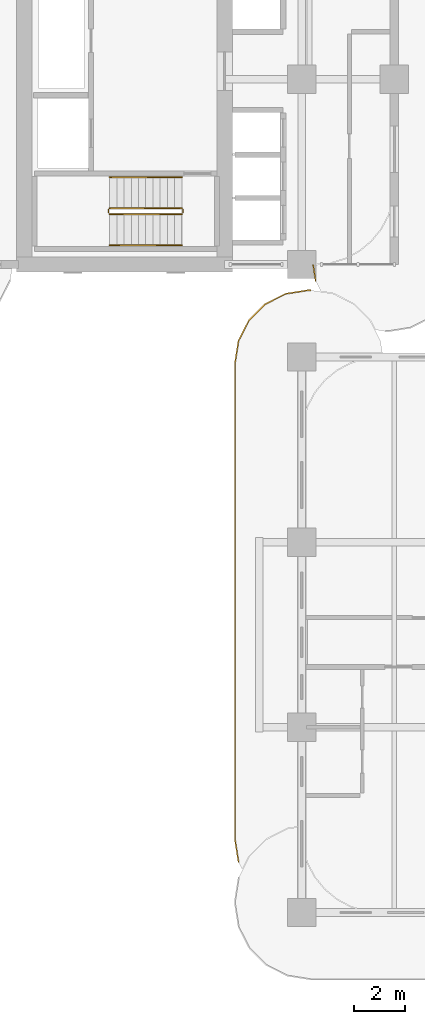
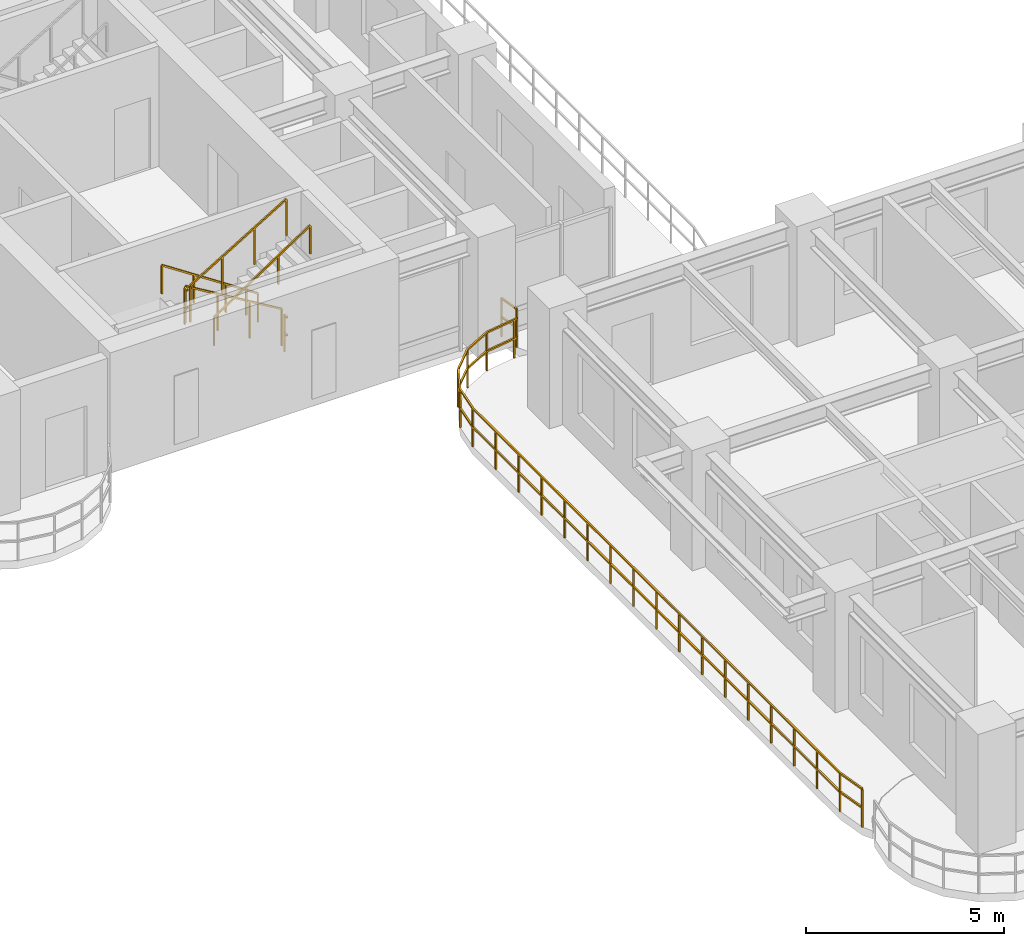
# One storey, part 13 of 19: 8 railings.
"""IFC4 building model written with IfcOpenShell, lengths in metres."""

from ifc_helpers import new_model, si_unit, derived_unit, direction, frame, origin, origin_2d, place, context, subcontext, project, spatial, rectangle, extrude, material, type_object, element, save


model = new_model("IFC4")

# Units and contexts
model_context = context("Model", 3, precision=1e-05, world=origin(), true_north=direction((0.0, 1.0)))
body_context = subcontext(model_context, "Body", "Model", "MODEL_VIEW")
ifc_project = project(units=[si_unit("LENGTHUNIT", "METRE"), si_unit("AREAUNIT", "SQUARE_METRE"), si_unit("VOLUMEUNIT", "CUBIC_METRE"), si_unit("PLANEANGLEUNIT", "RADIAN"), si_unit("MASSUNIT", "GRAM", prefix="KILO"), si_unit("THERMODYNAMICTEMPERATUREUNIT", "KELVIN"), si_unit("POWERUNIT", "WATT"), derived_unit("THERMALTRANSMITTANCEUNIT", [(si_unit("POWERUNIT", "WATT"), 1), (si_unit("AREAUNIT", "SQUARE_METRE"), -1), (si_unit("THERMODYNAMICTEMPERATUREUNIT", "KELVIN"), -1)])], contexts=[model_context])

# Site, building, storey
site_placement = place(None, origin())
site = spatial("IfcSite", under=ifc_project, at=site_placement, CompositionType="ELEMENT")
building_placement = place(site_placement, origin())
building = spatial("IfcBuilding", under=site, at=building_placement, Name="Zahravan Archway Hotel and Residences", CompositionType="ELEMENT")
storey_placement = place(building_placement, frame((0.0, 0.0, 62.0)))
storey = spatial("IfcBuildingStorey", under=building, at=storey_placement, Name="L14", CompositionType="ELEMENT", Elevation=62.0)

# Railings
ifc_material_1 = material(Name="Bronze & Laminated Glass Balustrade", Category="glass")
railing_type_1 = type_object("IfcRailingType", Name="RL-BAL-1200", PredefinedType="BALUSTRADE", material=ifc_material_1)
railing_1_placement = place(storey_placement, frame((11.939453125, 1.96923828125, 0.0)))
element("IfcRailing", 1, at=railing_1_placement, inside=storey, type_object=railing_type_1, Name="L14 Balustrade RL-SLB-BAL-L14-WA-1", PredefinedType="BALUSTRADE", context=body_context, shape_type="SweptSolid", body=[
    extrude(rectangle(XDim=0.048095703125, YDim=0.048095703125, at=origin_2d()), frame((0.0, 0.0, 1.17578125), z_axis=(-0.156314005608, 0.987707411965, 0.0), x_axis=(-0.987707411965, -0.156314005608, 0.0)), (0.0, 0.0, 1.0), 0.891845703125),
    extrude(rectangle(XDim=0.048095703125, YDim=0.048095703125, at=origin_2d()), frame((0.0, 0.0, 0.60009765625), z_axis=(-0.156314005608, 0.987707411965, 0.0), x_axis=(-0.987707411965, -0.156314005608, 0.0)), (0.0, 0.0, 1.0), 0.891845703125),
    extrude(rectangle(XDim=0.048095703125, YDim=0.048095703125, at=origin_2d()), frame((-0.139404296875, 0.880859375, 1.17578125), z_axis=(0.0, 1.0, 0.0), x_axis=(-1.0, 0.0, 0.0)), (0.0, 0.0, 1.0), 18.5),
    extrude(rectangle(XDim=0.048095703125, YDim=0.048095703125, at=origin_2d()), frame((-0.139404296875, 0.880859375, 0.60009765625), z_axis=(0.0, 1.0, 0.0), x_axis=(-1.0, 0.0, 0.0)), (0.0, 0.0, 1.0), 18.5),
    extrude(rectangle(XDim=0.048095703125, YDim=0.048095703125, at=origin_2d()), frame((-0.139404296875, 19.380859375, 1.17578125), z_axis=(0.156356282588, 0.987700720307, 0.0), x_axis=(-0.987700720307, 0.156356282588, 0.0)), (0.0, 0.0, 1.0), 0.8916015625),
    extrude(rectangle(XDim=0.048095703125, YDim=0.048095703125, at=origin_2d()), frame((-0.139404296875, 19.380859375, 0.60009765625), z_axis=(0.156356282588, 0.987700720307, 0.0), x_axis=(-0.987700720307, 0.156356282588, 0.0)), (0.0, 0.0, 1.0), 0.8916015625),
    extrude(rectangle(XDim=0.048095703125, YDim=0.048095703125, at=origin_2d()), frame((0.0, 20.261474609375, 1.17578125), z_axis=(0.453991409995, 0.891006060389, 0.0), x_axis=(-0.891006060389, 0.453991409995, 0.0)), (0.0, 0.0, 1.0), 0.8916015625),
    extrude(rectangle(XDim=0.048095703125, YDim=0.048095703125, at=origin_2d()), frame((0.0, 20.261474609375, 0.60009765625), z_axis=(0.453991409995, 0.891006060389, 0.0), x_axis=(-0.891006060389, 0.453991409995, 0.0)), (0.0, 0.0, 1.0), 0.8916015625),
    extrude(rectangle(XDim=0.048095703125, YDim=0.048095703125, at=origin_2d()), frame((0.40478515625, 21.055908203125, 1.17578125), z_axis=(0.707106781187, 0.707106781187, 0.0), x_axis=(-0.707106781187, 0.707106781187, 0.0)), (0.0, 0.0, 1.0), 0.891845703125),
    extrude(rectangle(XDim=0.048095703125, YDim=0.048095703125, at=origin_2d()), frame((0.40478515625, 21.055908203125, 0.60009765625), z_axis=(0.707106781187, 0.707106781187, 0.0), x_axis=(-0.707106781187, 0.707106781187, 0.0)), (0.0, 0.0, 1.0), 0.891845703125),
    extrude(rectangle(XDim=0.048095703125, YDim=0.048095703125, at=origin_2d()), frame((1.035400390625, 21.6865234375, 1.17578125), z_axis=(0.891006060389, 0.453991409995, 0.0), x_axis=(-0.453991409995, 0.891006060389, 0.0)), (0.0, 0.0, 1.0), 0.8916015625),
    extrude(rectangle(XDim=0.048095703125, YDim=0.048095703125, at=origin_2d()), frame((1.035400390625, 21.6865234375, 0.60009765625), z_axis=(0.891006060389, 0.453991409995, 0.0), x_axis=(-0.453991409995, 0.891006060389, 0.0)), (0.0, 0.0, 1.0), 0.8916015625),
    extrude(rectangle(XDim=0.048095703125, YDim=0.048095703125, at=origin_2d()), frame((1.829833984375, 22.09130859375, 1.17578125), z_axis=(0.987700720307, 0.156356282588, 0.0), x_axis=(-0.156356282588, 0.987700720307, 0.0)), (0.0, 0.0, 1.0), 0.8916015625),
    extrude(rectangle(XDim=0.048095703125, YDim=0.048095703125, at=origin_2d()), frame((1.829833984375, 22.09130859375, 0.60009765625), z_axis=(0.987700720307, 0.156356282588, 0.0), x_axis=(-0.156356282588, 0.987700720307, 0.0)), (0.0, 0.0, 1.0), 0.8916015625),
    extrude(rectangle(XDim=0.048095703125, YDim=0.048095703125, at=origin_2d()), frame((2.71044921875, 22.230712890625, 1.17578125), z_axis=(1.0, 0.0, 0.0), x_axis=(0.0, 1.0, 0.0)), (0.0, 0.0, 1.0), 0.10009765625),
    extrude(rectangle(XDim=0.048095703125, YDim=0.048095703125, at=origin_2d()), frame((2.71044921875, 22.230712890625, 0.60009765625), z_axis=(1.0, 0.0, 0.0), x_axis=(0.0, 1.0, 0.0)), (0.0, 0.0, 1.0), 0.10009765625),
    extrude(rectangle(XDim=0.0419921875, YDim=0.0419921875, at=origin_2d()), origin(), (0.0, 0.0, 1.0), 1.15185546875),
    extrude(rectangle(XDim=0.0419921875, YDim=0.0419921875, at=origin_2d()), frame((-0.139404296875, 0.880859375, 0.0)), (0.0, 0.0, 1.0), 1.15185546875),
    extrude(rectangle(XDim=0.0419921875, YDim=0.0419921875, at=origin_2d()), frame((-0.139404296875, 2.037109375, 0.0)), (0.0, 0.0, 1.0), 1.15185546875),
    extrude(rectangle(XDim=0.0419921875, YDim=0.0419921875, at=origin_2d()), frame((-0.139404296875, 3.193359375, 0.0)), (0.0, 0.0, 1.0), 1.15185546875),
    extrude(rectangle(XDim=0.0419921875, YDim=0.0419921875, at=origin_2d()), frame((-0.139404296875, 4.349609375, 0.0)), (0.0, 0.0, 1.0), 1.15185546875),
    extrude(rectangle(XDim=0.0419921875, YDim=0.0419921875, at=origin_2d()), frame((-0.139404296875, 5.505859375, 0.0)), (0.0, 0.0, 1.0), 1.15185546875),
    extrude(rectangle(XDim=0.0419921875, YDim=0.0419921875, at=origin_2d()), frame((-0.139404296875, 6.662109375, 0.0)), (0.0, 0.0, 1.0), 1.15185546875),
    extrude(rectangle(XDim=0.0419921875, YDim=0.0419921875, at=origin_2d()), frame((-0.139404296875, 7.818359375, 0.0)), (0.0, 0.0, 1.0), 1.15185546875),
    extrude(rectangle(XDim=0.0419921875, YDim=0.0419921875, at=origin_2d()), frame((-0.139404296875, 8.974609375, 0.0)), (0.0, 0.0, 1.0), 1.15185546875),
    extrude(rectangle(XDim=0.0419921875, YDim=0.0419921875, at=origin_2d()), frame((-0.139404296875, 10.130859375, 0.0)), (0.0, 0.0, 1.0), 1.15185546875),
    extrude(rectangle(XDim=0.0419921875, YDim=0.0419921875, at=origin_2d()), frame((-0.139404296875, 11.287109375, 0.0)), (0.0, 0.0, 1.0), 1.15185546875),
    extrude(rectangle(XDim=0.0419921875, YDim=0.0419921875, at=origin_2d()), frame((-0.139404296875, 12.443359375, 0.0)), (0.0, 0.0, 1.0), 1.15185546875),
    extrude(rectangle(XDim=0.0419921875, YDim=0.0419921875, at=origin_2d()), frame((-0.139404296875, 13.599609375, 0.0)), (0.0, 0.0, 1.0), 1.15185546875),
    extrude(rectangle(XDim=0.0419921875, YDim=0.0419921875, at=origin_2d()), frame((-0.139404296875, 14.755859375, 0.0)), (0.0, 0.0, 1.0), 1.15185546875),
    extrude(rectangle(XDim=0.0419921875, YDim=0.0419921875, at=origin_2d()), frame((-0.139404296875, 15.912109375, 0.0)), (0.0, 0.0, 1.0), 1.15185546875),
    extrude(rectangle(XDim=0.0419921875, YDim=0.0419921875, at=origin_2d()), frame((-0.139404296875, 17.068359375, 0.0)), (0.0, 0.0, 1.0), 1.15185546875),
    extrude(rectangle(XDim=0.0419921875, YDim=0.0419921875, at=origin_2d()), frame((-0.139404296875, 18.224609375, 0.0)), (0.0, 0.0, 1.0), 1.15185546875),
    extrude(rectangle(XDim=0.0419921875, YDim=0.0419921875, at=origin_2d()), frame((-0.139404296875, 19.380859375, 0.0)), (0.0, 0.0, 1.0), 1.15185546875),
    extrude(rectangle(XDim=0.0419921875, YDim=0.0419921875, at=origin_2d()), frame((0.0, 20.261474609375, 0.0)), (0.0, 0.0, 1.0), 1.15185546875),
    extrude(rectangle(XDim=0.0419921875, YDim=0.0419921875, at=origin_2d()), frame((0.40478515625, 21.055908203125, 0.0)), (0.0, 0.0, 1.0), 1.15185546875),
    extrude(rectangle(XDim=0.0419921875, YDim=0.0419921875, at=origin_2d()), frame((1.035400390625, 21.6865234375, 0.0)), (0.0, 0.0, 1.0), 1.15185546875),
    extrude(rectangle(XDim=0.0419921875, YDim=0.0419921875, at=origin_2d()), frame((1.829833984375, 22.09130859375, 0.0)), (0.0, 0.0, 1.0), 1.15185546875),
    extrude(rectangle(XDim=0.0419921875, YDim=0.0419921875, at=origin_2d()), frame((2.71044921875, 22.230712890625, 0.0)), (0.0, 0.0, 1.0), 1.15185546875),
])
railing_2_placement = place(storey_placement, frame((14.939453125, 24.5693359375, 0.0)))
element("IfcRailing", 2, at=railing_2_placement, inside=storey, type_object=railing_type_1, Name="L14 Balustrade RL-SLB-BAL-L14-EB-1", PredefinedType="BALUSTRADE", context=body_context, shape_type="SweptSolid", body=[
    extrude(rectangle(XDim=0.048095703125, YDim=0.048095703125, at=origin_2d()), frame((0.0, 0.0, 1.17578125), z_axis=(-0.156388432473, 0.987695630338, 0.0), x_axis=(-0.987695630338, -0.156388432473, 0.0)), (0.0, 0.0, 1.0), 0.6181640625),
    extrude(rectangle(XDim=0.048095703125, YDim=0.048095703125, at=origin_2d()), frame((0.0, 0.0, 0.60009765625), z_axis=(-0.156388432473, 0.987695630338, 0.0), x_axis=(-0.987695630338, -0.156388432473, 0.0)), (0.0, 0.0, 1.0), 0.6181640625),
    extrude(rectangle(XDim=0.0419921875, YDim=0.0419921875, at=origin_2d()), origin(), (0.0, 0.0, 1.0), 1.15185546875),
    extrude(rectangle(XDim=0.0419921875, YDim=0.0419921875, at=origin_2d()), frame((-0.0966796875, 0.610595703125, 0.0)), (0.0, 0.0, 1.0), 1.15185546875),
])
ifc_material_2 = material(Name="Painted Tubular Steel", Category="steel")
railing_type_2 = type_object("IfcRailingType", Name="RL-STG-1150", PredefinedType="GUARDRAIL", material=ifc_material_2)
railing_3_placement = place(storey_placement, frame((9.72998046875, 27.389892578125, 0.168212890625)))
element("IfcRailing", 3, at=railing_3_placement, inside=storey, type_object=railing_type_2, Name="L14 ST-B1 stair guard 1", PredefinedType="GUARDRAIL", context=body_context, shape_type="SweptSolid", body=[
    extrude(rectangle(XDim=0.048095703125, YDim=0.048095703125, at=origin_2d()), frame((0.0, 0.0, 1.1259765625), z_axis=(-0.857242210791, 0.0, 0.514913383045), x_axis=(0.0, -1.0, 0.0)), (0.0, 0.0, 1.0), 3.266357421875),
    extrude(rectangle(XDim=0.0419921875, YDim=0.0419921875, at=origin_2d()), origin(), (0.0, 0.0, 1.0), 1.101806640625),
    extrude(rectangle(XDim=0.0419921875, YDim=0.0419921875, at=origin_2d()), frame((-0.933349609375, 0.0, 0.560546875)), (0.0, 0.0, 1.0), 1.101806640625),
    extrude(rectangle(XDim=0.0419921875, YDim=0.0419921875, at=origin_2d()), frame((-1.86669921875, 0.0, 1.121337890625)), (0.0, 0.0, 1.0), 1.101806640625),
    extrude(rectangle(XDim=0.0419921875, YDim=0.0419921875, at=origin_2d()), frame((-2.800048828125, 0.0, 1.681884765625)), (0.0, 0.0, 1.0), 1.101806640625),
])
railing_4_placement = place(storey_placement, frame((6.8798828125, 27.340087890625, 1.85009765625)))
element("IfcRailing", 4, at=railing_4_placement, inside=storey, type_object=railing_type_2, Name="L14 ST-B1 stair guard 2", PredefinedType="GUARDRAIL", context=body_context, shape_type="SweptSolid", body=[
    extrude(rectangle(XDim=0.048095703125, YDim=0.048095703125, at=origin_2d()), frame((0.0, 0.0, 1.1259765625), z_axis=(0.0, -1.0, 0.0), x_axis=(1.0, 0.0, 0.0)), (0.0, 0.0, 1.0), 0.14013671875),
    extrude(rectangle(XDim=0.048095703125, YDim=0.048095703125, at=origin_2d()), frame((0.0, 0.0, 0.574951171875), z_axis=(0.0, -1.0, 0.0), x_axis=(1.0, 0.0, 0.0)), (0.0, 0.0, 1.0), 0.14013671875),
    extrude(rectangle(XDim=0.0419921875, YDim=0.0419921875, at=origin_2d()), origin(), (0.0, 0.0, 1.0), 1.101806640625),
])
railing_5_placement = place(storey_placement, frame((6.929931640625, 27.14990234375, 2.01806640625)))
element("IfcRailing", 5, at=railing_5_placement, inside=storey, type_object=railing_type_2, Name="L14 ST-B1 stair guard 3", PredefinedType="GUARDRAIL", context=body_context, shape_type="SweptSolid", body=[
    extrude(rectangle(XDim=0.048095703125, YDim=0.048095703125, at=origin_2d()), frame((0.0, 0.0, 1.1259765625), z_axis=(0.857242210791, 0.0, 0.514913383045), x_axis=(0.0, 1.0, 0.0)), (0.0, 0.0, 1.0), 3.266357421875),
    extrude(rectangle(XDim=0.0419921875, YDim=0.0419921875, at=origin_2d()), origin(), (0.0, 0.0, 1.0), 1.101806640625),
    extrude(rectangle(XDim=0.0419921875, YDim=0.0419921875, at=origin_2d()), frame((0.933349609375, 0.0, 0.560546875)), (0.0, 0.0, 1.0), 1.101806640625),
    extrude(rectangle(XDim=0.0419921875, YDim=0.0419921875, at=origin_2d()), frame((1.86669921875, 0.0, 1.121337890625)), (0.0, 0.0, 1.0), 1.101806640625),
    extrude(rectangle(XDim=0.0419921875, YDim=0.0419921875, at=origin_2d()), frame((2.800048828125, 0.0, 1.681884765625)), (0.0, 0.0, 1.0), 1.101806640625),
])
railing_6_placement = place(storey_placement, frame((9.780029296875, 27.340087890625, 0.0)))
element("IfcRailing", 6, at=railing_6_placement, inside=storey, type_object=railing_type_2, Name="L14 ST-B1 stair guard 4", PredefinedType="GUARDRAIL", context=body_context, shape_type="SweptSolid", body=[
    extrude(rectangle(XDim=0.048095703125, YDim=0.048095703125, at=origin_2d()), frame((0.0, 0.0, 1.1259765625), z_axis=(0.0, -1.0, 0.0), x_axis=(1.0, 0.0, 0.0)), (0.0, 0.0, 1.0), 0.14013671875),
    extrude(rectangle(XDim=0.048095703125, YDim=0.048095703125, at=origin_2d()), frame((0.0, 0.0, 0.574951171875), z_axis=(0.0, -1.0, 0.0), x_axis=(1.0, 0.0, 0.0)), (0.0, 0.0, 1.0), 0.14013671875),
    extrude(rectangle(XDim=0.0419921875, YDim=0.0419921875, at=origin_2d()), origin(), (0.0, 0.0, 1.0), 1.101806640625),
])
ifc_material_3 = material(Name="Brushed Stainless Steel", Category="steel")
railing_type_3 = type_object("IfcRailingType", Name="RL-STH-900", PredefinedType="HANDRAIL", material=ifc_material_3)
railing_7_placement = place(storey_placement, frame((9.72998046875, 28.590087890625, 0.168212890625)))
element("IfcRailing", 7, at=railing_7_placement, inside=storey, type_object=railing_type_3, Name="L14 ST-B1 stair handrail 1", PredefinedType="HANDRAIL", context=body_context, shape_type="SweptSolid", body=[
    extrude(rectangle(XDim=0.048095703125, YDim=0.048095703125, at=origin_2d()), frame((0.0, 0.0, 0.8759765625), z_axis=(-0.83435981716, 0.0, 0.551220187865), x_axis=(0.0, -1.0, 0.0)), (0.0, 0.0, 1.0), 3.35595703125),
    extrude(rectangle(XDim=0.0419921875, YDim=0.0419921875, at=origin_2d()), origin(), (0.0, 0.0, 1.0), 0.851806640625),
    extrude(rectangle(XDim=0.0419921875, YDim=0.0419921875, at=origin_2d()), frame((-0.933349609375, 0.0, 0.61669921875)), (0.0, 0.0, 1.0), 0.851806640625),
    extrude(rectangle(XDim=0.0419921875, YDim=0.0419921875, at=origin_2d()), frame((-1.86669921875, 0.0, 1.233154296875)), (0.0, 0.0, 1.0), 0.851806640625),
    extrude(rectangle(XDim=0.0419921875, YDim=0.0419921875, at=origin_2d()), frame((-2.800048828125, 0.0, 1.849853515625)), (0.0, 0.0, 1.0), 0.851806640625),
])
railing_8_placement = place(storey_placement, frame((6.929931640625, 25.949951171875, 2.01806640625)))
element("IfcRailing", 8, at=railing_8_placement, inside=storey, type_object=railing_type_3, Name="L14 ST-B1 stair handrail 2", PredefinedType="HANDRAIL", context=body_context, shape_type="SweptSolid", body=[
    extrude(rectangle(XDim=0.048095703125, YDim=0.048095703125, at=origin_2d()), frame((0.0, 0.0, 0.8759765625), z_axis=(0.834326358476, 0.0, 0.551270829586), x_axis=(0.0, 1.0, 0.0)), (0.0, 0.0, 1.0), 3.35595703125),
    extrude(rectangle(XDim=0.0419921875, YDim=0.0419921875, at=origin_2d()), origin(), (0.0, 0.0, 1.0), 0.851806640625),
    extrude(rectangle(XDim=0.0419921875, YDim=0.0419921875, at=origin_2d()), frame((0.933349609375, 0.0, 0.61669921875)), (0.0, 0.0, 1.0), 0.851806640625),
    extrude(rectangle(XDim=0.0419921875, YDim=0.0419921875, at=origin_2d()), frame((1.86669921875, 0.0, 1.2333984375)), (0.0, 0.0, 1.0), 0.851806640625),
    extrude(rectangle(XDim=0.0419921875, YDim=0.0419921875, at=origin_2d()), frame((2.800048828125, 0.0, 1.85009765625)), (0.0, 0.0, 1.0), 0.851806640625),
])

save(model, "model.ifc")
